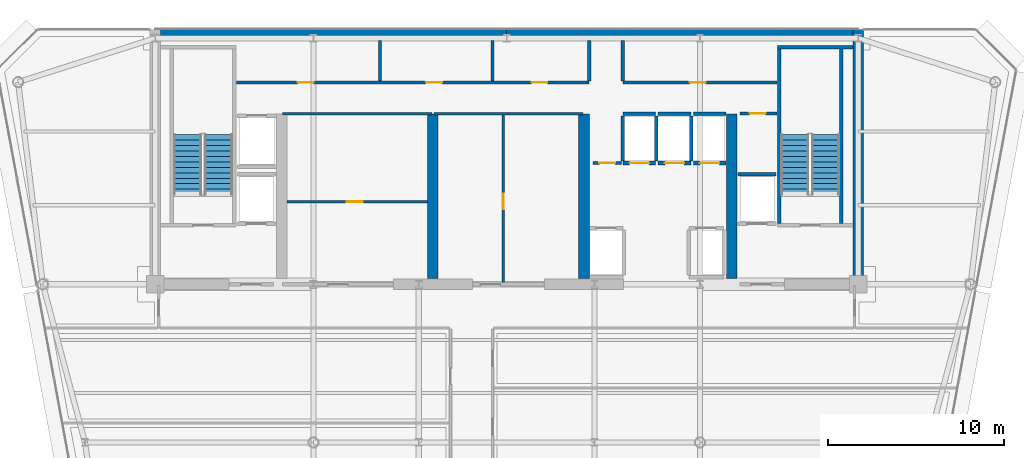
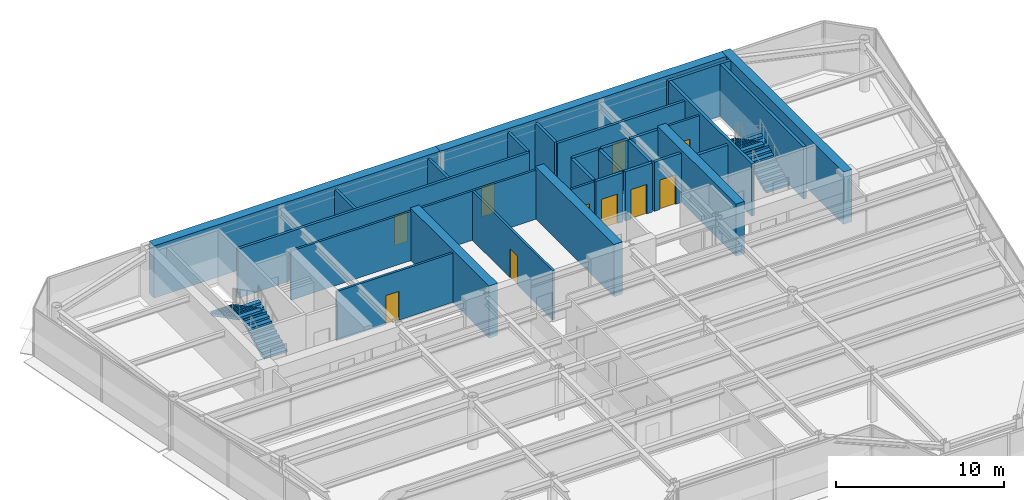
# One storey, part 12 of 16: 31 walls, 11 doors, 4 stair flights, 11 openings, 2 elements without a shape of their own.
"""IFC4 building model written with IfcOpenShell, lengths in metres."""

from ifc_helpers import new_model, si_unit, direction, frame, frame_2d, origin, place, context, subcontext, project, spatial, polyline, rectangle, outline, extrude, source, transform, mapped, material, layer, layer_set, type_object, element, fill, aggregate, save


model = new_model("IFC4")

# Units and contexts
model_context = context("Model", 3, precision=1e-05, world=origin(), true_north=direction((0.0, 1.0)))
body_context = subcontext(model_context, "Body", "Model", "MODEL_VIEW")
ifc_project = project(units=[si_unit("LENGTHUNIT", "METRE"), si_unit("AREAUNIT", "SQUARE_METRE"), si_unit("VOLUMEUNIT", "CUBIC_METRE"), si_unit("PLANEANGLEUNIT", "RADIAN"), si_unit("MASSUNIT", "GRAM", prefix="KILO")], contexts=[model_context])

# Site, building, storey
site_placement = place(None, origin())
site = spatial("IfcSite", under=ifc_project, at=site_placement, CompositionType="ELEMENT")
building_placement = place(site_placement, origin())
building = spatial("IfcBuilding", under=site, at=building_placement, Name="Vaeldorn Concourse Tower", CompositionType="ELEMENT")
storey_placement = place(building_placement, frame((0.0, 0.0, 227.0)))
storey = spatial("IfcBuildingStorey", under=building, at=storey_placement, Name="L58", CompositionType="ELEMENT", Elevation=227.0)

# Walls
ifc_material_1 = material(Name="Concrete C50/60", Category="concrete")
ifc_layer_1 = layer(ifc_material_1, 0.60009765625)
ifc_layer_set_1 = layer_set([ifc_layer_1], Name="Concrete C50/60")
wall_type_1 = type_object("IfcWallType", Name="WL-CORE-600", PredefinedType="SHEAR", material=ifc_layer_set_1)
for number, where, z_axis, x_axis, name in (
    (1, (14.303955078125, 50.699951171875, 0.0), (0.0, 0.0, 1.0), (1.0, 0.0, 0.0), "Rear Core Shear Wall L58 N1"),
    (2, (34.001953125, 50.699951171875, 0.0), (0.0, 0.0, 1.0), (1.0, 0.0, 0.0), "Rear Core Shear Wall L58 N2"),
):
    element("IfcWall", number, at=place(storey_placement, frame(where, z_axis=z_axis, x_axis=x_axis)), inside=storey, type_object=wall_type_1, Name=name, PredefinedType="SHEAR", context=body_context, shape_type="SweptSolid", body=[
        extrude(rectangle(XDim=19.694091796875, YDim=0.60009765625, at=frame_2d((9.84716796875, 0.0))), origin(), (0.0, 0.0, 1.0), 3.800048828125),
    ])
wall_1_placement = place(storey_placement, frame((54.0, 36.5, 0.0), z_axis=(0.0, 0.0, 1.0), x_axis=(0.0, 1.0, 0.0)))
element("IfcWall", 3, at=wall_1_placement, inside=storey, type_object=wall_type_1, Name="Rear Core Shear Wall L58 E1", PredefinedType="SHEAR", context=body_context, shape_type="SweptSolid", body=[
    extrude(rectangle(XDim=14.5, YDim=0.60009765625, at=frame_2d((7.25, 0.0))), origin(), (0.0, 0.0, 1.0), 3.800048828125),
])
for number, where, z_axis, x_axis, name in (
    (4, (29.800048828125, 36.820068359375, 0.0), (0.0, 0.0, 1.0), (0.0, 1.0, 0.0), "Rear Core Shear Wall L58 M2"),
    (5, (38.39990234375, 36.820068359375, 0.0), (0.0, 0.0, 1.0), (0.0, 1.0, 0.0), "Rear Core Shear Wall L58 M3"),
    (6, (46.800048828125, 36.820068359375, 0.0), (0.0, 0.0, 1.0), (0.0, 1.0, 0.0), "Rear Core Shear Wall L58 M4"),
):
    element("IfcWall", number, at=place(storey_placement, frame(where, z_axis=z_axis, x_axis=x_axis)), inside=storey, type_object=wall_type_1, Name=name, PredefinedType="SHEAR", context=body_context, shape_type="SweptSolid", body=[
        extrude(rectangle(XDim=9.3798828125, YDim=0.60009765625, at=frame_2d((4.68994140625, 0.0))), origin(), (0.0, 0.0, 1.0), 3.800048828125),
    ])
ifc_material_2 = material(Name="Gypsum Board Partition", Category="gypsum")
ifc_layer_2 = layer(ifc_material_2, 0.14990234375)
ifc_layer_set_2 = layer_set([ifc_layer_2], Name="Gypsum Board Partition")
wall_type_2 = type_object("IfcWallType", Name="WL-PART-150", PredefinedType="PARTITIONING", material=ifc_layer_set_2)
wall_2_placement = place(storey_placement, frame((21.25, 46.199951171875, 0.0), z_axis=(0.0, 0.0, 1.0), x_axis=(1.0, 0.0, 0.0)))
element("IfcWall", 7, at=wall_2_placement, inside=storey, type_object=wall_type_2, Name="Interior Wall CW-L58-R1N", PredefinedType="PARTITIONING", context=body_context, shape_type="SweptSolid", body=[
    extrude(rectangle(XDim=8.5, YDim=0.14990234375, at=frame_2d((4.25, 0.0))), origin(), (0.0, 0.0, 1.0), 3.580078125),
])

# Wall, opening, door
wall_3_placement = place(storey_placement, frame((21.5, 41.199951171875, 0.0), z_axis=(0.0, 0.0, 1.0), x_axis=(1.0, 0.0, 0.0)))
wall_3 = element("IfcWall", 8, at=wall_3_placement, inside=storey, type_object=wall_type_2, Name="Interior Wall CW-L58-R1M", PredefinedType="PARTITIONING", context=body_context, shape_type="SweptSolid", body=[
    extrude(rectangle(XDim=8.0, YDim=0.14990234375, at=frame_2d((4.0, 0.0))), origin(), (0.0, 0.0, 1.0), 3.580078125),
])
opening_1_placement = place(wall_3_placement, frame((3.39990234375, 0.0, 0.0)))
opening_1 = element("IfcOpeningElement", 9, at=opening_1_placement, cuts=wall_3, Name="Opening D-02", PredefinedType="OPENING", context=body_context, shape_type="SweptSolid", body=[
    extrude(rectangle(XDim=0.89990234375, YDim=2.10009765625, at=frame_2d((0.449951171875, 1.050048828125))), frame((0.0, 0.0849609375, 0.0), z_axis=(0.0, -1.0, 0.0), x_axis=(1.0, 0.0, 0.0)), (0.0, 0.0, 1.0), 0.169921875),
])
ifc_material_3 = material(Name="Fire-Rated Timber Leaf", Category="wood")
door_type_1 = type_object("IfcDoorType", Name="DR-FD30-900", OperationType="NOTDEFINED", PredefinedType="DOOR", material=ifc_material_3)
shared_shape_1 = source(origin(), body_context, "Body", "SweptSolid", [
    extrude(rectangle(XDim=0.89990234375, YDim=2.10009765625, at=frame_2d((0.449951171875, 1.050048828125))), frame((0.0, 0.02490234375, 0.0), z_axis=(0.0, -1.0, 0.0), x_axis=(1.0, 0.0, 0.0)), (0.0, 0.0, 1.0), 0.050048828125),
])
door_1_placement = place(opening_1_placement, origin())
door_1 = element("IfcDoor", 10, at=door_1_placement, inside=storey, type_object=door_type_1, Name="Interior Door DR-L58-R1M", OperationType="SINGLE_SWING_RIGHT", OverallHeight=2.10009765625, OverallWidth=0.89990234375, PredefinedType="DOOR", context=body_context, shape_type="MappedRepresentation", body=[
    mapped(shared_shape_1, transform((0.0, 0.0, 0.0), scale=1.0)),
])
fill(opening_1, door_1)

# Wall
wall_4_placement = place(storey_placement, frame((29.85009765625, 46.199951171875, 0.0), z_axis=(0.0, 0.0, 1.0), x_axis=(1.0, 0.0, 0.0)))
element("IfcWall", 11, at=wall_4_placement, inside=storey, type_object=wall_type_2, Name="Interior Wall CW-L58-R2N", PredefinedType="PARTITIONING", context=body_context, shape_type="SweptSolid", body=[
    extrude(rectangle(XDim=8.5, YDim=0.14990234375, at=frame_2d((4.25, 0.0))), origin(), (0.0, 0.0, 1.0), 3.580078125),
])

# Wall, opening, door
wall_5_placement = place(storey_placement, frame((33.800048828125, 36.56005859375, 0.0), z_axis=(0.0, 0.0, 1.0), x_axis=(0.0, 1.0, 0.0)))
wall_5 = element("IfcWall", 12, at=wall_5_placement, inside=storey, type_object=wall_type_2, Name="Interior Wall CW-L58-R2M", PredefinedType="PARTITIONING", context=body_context, shape_type="SweptSolid", body=[
    extrude(rectangle(XDim=9.579833984375, YDim=0.14990234375, at=frame_2d((4.7900390625, 0.0))), origin(), (0.0, 0.0, 1.0), 3.580078125),
])
opening_2_placement = place(wall_5_placement, frame((4.199951171875, 0.0, 0.0)))
opening_2 = element("IfcOpeningElement", 13, at=opening_2_placement, cuts=wall_5, Name="Opening D-02", PredefinedType="OPENING", context=body_context, shape_type="SweptSolid", body=[
    extrude(rectangle(XDim=0.89990234375, YDim=2.10009765625, at=frame_2d((0.449951171875, 1.050048828125))), frame((0.0, 0.0849609375, 0.0), z_axis=(0.0, -1.0, 0.0), x_axis=(1.0, 0.0, 0.0)), (0.0, 0.0, 1.0), 0.169921875),
])
door_2_placement = place(opening_2_placement, origin())
door_2 = element("IfcDoor", 14, at=door_2_placement, inside=storey, type_object=door_type_1, Name="Interior Door DR-L58-R2E", OperationType="SINGLE_SWING_RIGHT", OverallHeight=2.10009765625, OverallWidth=0.89990234375, PredefinedType="DOOR", context=body_context, shape_type="MappedRepresentation", body=[
    mapped(shared_shape_1, transform((0.0, 0.0, 0.0), scale=1.0)),
])
fill(opening_2, door_2)

wall_6_placement = place(storey_placement, frame((47.280029296875, 46.219970703125, 0.0), z_axis=(0.0, 0.0, 1.0), x_axis=(1.0, 0.0, 0.0)))
wall_6 = element("IfcWall", 15, at=wall_6_placement, inside=storey, type_object=wall_type_2, Name="Interior Wall CW-L58-CRSE-N", PredefinedType="PARTITIONING", context=body_context, shape_type="SweptSolid", body=[
    extrude(rectangle(XDim=2.099853515625, YDim=0.14990234375, at=frame_2d((1.0498046875, 0.0))), origin(), (0.0, 0.0, 1.0), 3.580078125),
])
opening_3_placement = place(wall_6_placement, frame((0.550048828125, 0.0, 0.0)))
opening_3 = element("IfcOpeningElement", 16, at=opening_3_placement, cuts=wall_6, Name="Opening D-02", PredefinedType="OPENING", context=body_context, shape_type="SweptSolid", body=[
    extrude(rectangle(XDim=0.89990234375, YDim=2.10009765625, at=frame_2d((0.449951171875, 1.050048828125))), frame((0.0, 0.0849609375, 0.0), z_axis=(0.0, -1.0, 0.0), x_axis=(1.0, 0.0, 0.0)), (0.0, 0.0, 1.0), 0.169921875),
])
door_3_placement = place(opening_3_placement, origin())
door_3 = element("IfcDoor", 17, at=door_3_placement, inside=storey, type_object=door_type_1, Name="Interior Door DR-L58-CRSE", OperationType="SINGLE_SWING_RIGHT", OverallHeight=2.10009765625, OverallWidth=0.89990234375, PredefinedType="DOOR", context=body_context, shape_type="MappedRepresentation", body=[
    mapped(shared_shape_1, transform((0.0, 0.0, 0.0), scale=1.0)),
])
fill(opening_3, door_3)

wall_7_placement = place(storey_placement, frame((38.919921875, 43.39990234375, 0.0), z_axis=(0.0, 0.0, 1.0), x_axis=(1.0, 0.0, 0.0)))
wall_7 = element("IfcWall", 18, at=wall_7_placement, inside=storey, type_object=wall_type_2, Name="Interior Wall CW-L58-CCLINK", PredefinedType="PARTITIONING", context=body_context, shape_type="SweptSolid", body=[
    extrude(rectangle(XDim=1.60009765625, YDim=0.14990234375, at=frame_2d((0.800048828125, 0.0))), origin(), (0.0, 0.0, 1.0), 3.580078125),
])
opening_4_placement = place(wall_7_placement, frame((0.35009765625, 0.0, 0.0)))
opening_4 = element("IfcOpeningElement", 19, at=opening_4_placement, cuts=wall_7, Name="Opening D-02", PredefinedType="OPENING", context=body_context, shape_type="SweptSolid", body=[
    extrude(rectangle(XDim=0.89990234375, YDim=2.10009765625, at=frame_2d((0.449951171875, 1.050048828125))), frame((0.0, 0.0849609375, 0.0), z_axis=(0.0, -1.0, 0.0), x_axis=(1.0, 0.0, 0.0)), (0.0, 0.0, 1.0), 0.169921875),
])
door_4_placement = place(opening_4_placement, origin())
door_4 = element("IfcDoor", 20, at=door_4_placement, inside=storey, type_object=door_type_1, Name="Interior Door DR-L58-CCLINK", OperationType="SINGLE_SWING_LEFT", OverallHeight=2.10009765625, OverallWidth=0.89990234375, PredefinedType="DOOR", context=body_context, shape_type="MappedRepresentation", body=[
    mapped(shared_shape_1, transform((0.0, 0.0, 0.0), scale=1.0)),
])
fill(opening_4, door_4)

# Wall, openings, doors
ifc_layer_3 = layer(ifc_material_2, 0.179931640625)
ifc_layer_set_3 = layer_set([ifc_layer_3], Name="Gypsum Board Partition")
wall_type_3 = type_object("IfcWallType", Name="WL-PLUMB-180", PredefinedType="PLUMBINGWALL", material=ifc_layer_set_3)
wall_8_placement = place(storey_placement, frame((18.6201171875, 47.97998046875, 0.0), z_axis=(0.0, 0.0, 1.0), x_axis=(1.0, 0.0, 0.0)))
wall_8 = element("IfcWall", 21, at=wall_8_placement, inside=storey, type_object=wall_type_3, Name="Interior Wall CW-L58-NS1W", PredefinedType="PLUMBINGWALL", context=body_context, shape_type="SweptSolid", body=[
    extrude(rectangle(XDim=20.059814453125, YDim=0.179931640625, at=frame_2d((10.02978515625, 0.0))), origin(), (0.0, 0.0, 1.0), 3.580078125),
])
opening_5_placement = place(wall_8_placement, frame((3.5, 0.0, 0.0)))
opening_5 = element("IfcOpeningElement", 22, at=opening_5_placement, cuts=wall_8, Name="Opening D-03", PredefinedType="OPENING", context=body_context, shape_type="SweptSolid", body=[
    extrude(rectangle(XDim=0.89990234375, YDim=2.14990234375, at=frame_2d((0.449951171875, 1.074951171875))), frame((0.0, 0.10009765625, 0.0), z_axis=(0.0, -1.0, 0.0), x_axis=(1.0, 0.0, 0.0)), (0.0, 0.0, 1.0), 0.199951171875),
])
opening_6_placement = place(wall_8_placement, frame((10.800048828125, 0.0, 0.0)))
opening_6 = element("IfcOpeningElement", 23, at=opening_6_placement, cuts=wall_8, Name="Opening D-03", PredefinedType="OPENING", context=body_context, shape_type="SweptSolid", body=[
    extrude(rectangle(XDim=0.89990234375, YDim=2.14990234375, at=frame_2d((0.449951171875, 1.074951171875))), frame((0.0, 0.10009765625, 0.0), z_axis=(0.0, -1.0, 0.0), x_axis=(1.0, 0.0, 0.0)), (0.0, 0.0, 1.0), 0.199951171875),
])
opening_7_placement = place(wall_8_placement, frame((16.800048828125, 0.0, 0.0)))
opening_7 = element("IfcOpeningElement", 24, at=opening_7_placement, cuts=wall_8, Name="Opening D-03", PredefinedType="OPENING", context=body_context, shape_type="SweptSolid", body=[
    extrude(rectangle(XDim=0.89990234375, YDim=2.14990234375, at=frame_2d((0.449951171875, 1.074951171875))), frame((0.0, 0.10009765625, 0.0), z_axis=(0.0, -1.0, 0.0), x_axis=(1.0, 0.0, 0.0)), (0.0, 0.0, 1.0), 0.199951171875),
])
ifc_material_4 = material(Name="Acoustic Bronze-Framed Glass Door", Category="glass")
door_type_2 = type_object("IfcDoorType", Name="DR-INT-900", OperationType="NOTDEFINED", PredefinedType="DOOR", material=ifc_material_4)
shared_shape_2 = source(origin(), body_context, "Body", "SweptSolid", [
    extrude(rectangle(XDim=0.89990234375, YDim=2.14990234375, at=frame_2d((0.449951171875, 1.074951171875))), frame((0.0, 0.02490234375, 0.0), z_axis=(0.0, -1.0, 0.0), x_axis=(1.0, 0.0, 0.0)), (0.0, 0.0, 1.0), 0.050048828125),
])
door_5_placement = place(opening_5_placement, origin())
door_5 = element("IfcDoor", 25, at=door_5_placement, inside=storey, type_object=door_type_2, Name="Interior Door DR-L58-CS1", OperationType="SINGLE_SWING_LEFT", OverallHeight=2.14990234375, OverallWidth=0.89990234375, PredefinedType="DOOR", context=body_context, shape_type="MappedRepresentation", body=[
    mapped(shared_shape_2, transform((0.0, 0.0, 0.0), scale=1.0)),
])
fill(opening_5, door_5)
door_6_placement = place(opening_6_placement, origin())
door_6 = element("IfcDoor", 26, at=door_6_placement, inside=storey, type_object=door_type_2, Name="Interior Door DR-L58-CS2", OperationType="SINGLE_SWING_RIGHT", OverallHeight=2.14990234375, OverallWidth=0.89990234375, PredefinedType="DOOR", context=body_context, shape_type="MappedRepresentation", body=[
    mapped(shared_shape_2, transform((0.0, 0.0, 0.0), scale=1.0)),
])
fill(opening_6, door_6)
door_7_placement = place(opening_7_placement, origin())
door_7 = element("IfcDoor", 27, at=door_7_placement, inside=storey, type_object=door_type_2, Name="Interior Door DR-L58-CS3", OperationType="SINGLE_SWING_LEFT", OverallHeight=2.14990234375, OverallWidth=0.89990234375, PredefinedType="DOOR", context=body_context, shape_type="MappedRepresentation", body=[
    mapped(shared_shape_2, transform((0.0, 0.0, 0.0), scale=1.0)),
])
fill(opening_7, door_7)

# Wall, opening, door
wall_9_placement = place(storey_placement, frame((40.6201171875, 47.97998046875, 0.0), z_axis=(0.0, 0.0, 1.0), x_axis=(1.0, 0.0, 0.0)))
wall_9 = element("IfcWall", 28, at=wall_9_placement, inside=storey, type_object=wall_type_3, Name="Interior Wall CW-L58-NS1E", PredefinedType="PLUMBINGWALL", context=body_context, shape_type="SweptSolid", body=[
    extrude(rectangle(XDim=8.759765625, YDim=0.179931640625, at=frame_2d((4.3798828125, 0.0))), origin(), (0.0, 0.0, 1.0), 3.580078125),
])
opening_8_placement = place(wall_9_placement, frame((3.800048828125, 0.0, 0.0)))
opening_8 = element("IfcOpeningElement", 29, at=opening_8_placement, cuts=wall_9, Name="Opening D-03", PredefinedType="OPENING", context=body_context, shape_type="SweptSolid", body=[
    extrude(rectangle(XDim=0.89990234375, YDim=2.14990234375, at=frame_2d((0.449951171875, 1.074951171875))), frame((0.0, 0.10009765625, 0.0), z_axis=(0.0, -1.0, 0.0), x_axis=(1.0, 0.0, 0.0)), (0.0, 0.0, 1.0), 0.199951171875),
])
door_8_placement = place(opening_8_placement, origin())
door_8 = element("IfcDoor", 30, at=door_8_placement, inside=storey, type_object=door_type_2, Name="Interior Door DR-L58-CS4", OperationType="SINGLE_SWING_RIGHT", OverallHeight=2.14990234375, OverallWidth=0.89990234375, PredefinedType="DOOR", context=body_context, shape_type="MappedRepresentation", body=[
    mapped(shared_shape_2, transform((0.0, 0.0, 0.0), scale=1.0)),
])
fill(opening_8, door_8)

# Walls
for number, where, z_axis, x_axis, name in (
    (31, (26.800048828125, 48.06005859375, 0.0), (0.0, 0.0, 1.0), (0.0, 1.0, 0.0), "Interior Wall CW-L58-NDIV1"),
    (32, (33.199951171875, 48.06005859375, 0.0), (0.0, 0.0, 1.0), (0.0, 1.0, 0.0), "Interior Wall CW-L58-NDIV2"),
    (33, (38.699951171875, 48.06005859375, 0.0), (0.0, 0.0, 1.0), (0.0, 1.0, 0.0), "Interior Wall CW-L58-NDIV3"),
    (34, (40.60009765625, 48.06005859375, 0.0), (0.0, 0.0, 1.0), (0.0, 1.0, 0.0), "Interior Wall CW-L58-NDIV4"),
):
    element("IfcWall", number, at=place(storey_placement, frame(where, z_axis=z_axis, x_axis=x_axis)), inside=storey, type_object=wall_type_3, Name=name, PredefinedType="PLUMBINGWALL", context=body_context, shape_type="SweptSolid", body=[
        extrude(rectangle(XDim=2.31982421875, YDim=0.179931640625, at=frame_2d((1.159912109375, 0.0))), origin(), (0.0, 0.0, 1.0), 3.580078125),
    ])
ifc_layer_4 = layer(ifc_material_1, 0.199951171875)
ifc_layer_set_4 = layer_set([ifc_layer_4], Name="Concrete C50/60")
wall_type_4 = type_object("IfcWallType", Name="WL-SHAFT-200", PredefinedType="SOLIDWALL", material=ifc_layer_set_4)
wall_10_placement = place(storey_placement, frame((49.39990234375, 50.0, 0.0), z_axis=(0.0, 0.0, 1.0), x_axis=(1.0, 0.0, 0.0)))
element("IfcWall", 35, at=wall_10_placement, inside=storey, type_object=wall_type_4, Name="Stair Shaft Wall CW-L58-ST-2-N", PredefinedType="SOLIDWALL", context=body_context, shape_type="SweptSolid", body=[
    extrude(rectangle(XDim=4.300048828125, YDim=0.199951171875, at=frame_2d((2.14990234375, 0.0))), origin(), (0.0, 0.0, 1.0), 3.800048828125),
])
for number, where, z_axis, x_axis, name in (
    (36, (49.5, 39.9599609375, 0.0), (0.0, 0.0, 1.0), (0.0, 1.0, 0.0), "Stair Shaft Wall CW-L58-ST-2-W"),
    (37, (53.050048828125, 39.9599609375, 0.0), (0.0, 0.0, 1.0), (0.0, 1.0, 0.0), "Stair Shaft Wall CW-L58-ST-2-E"),
):
    element("IfcWall", number, at=place(storey_placement, frame(where, z_axis=z_axis, x_axis=x_axis)), inside=storey, type_object=wall_type_4, Name=name, PredefinedType="SOLIDWALL", context=body_context, shape_type="SweptSolid", body=[
        extrude(rectangle(XDim=9.929931640625, YDim=0.199951171875, at=frame_2d((4.96484375, 0.0))), origin(), (0.0, 0.0, 1.0), 3.800048828125),
    ])

# Wall, opening, door
wall_11_placement = place(storey_placement, frame((40.6201171875, 43.39990234375, 0.0), z_axis=(0.0, 0.0, 1.0), x_axis=(1.0, 0.0, 0.0)))
wall_11 = element("IfcWall", 38, at=wall_11_placement, inside=storey, type_object=wall_type_4, Name="Interior Wall CW-L58-LF-LF-15", PredefinedType="SOLIDWALL", context=body_context, shape_type="SweptSolid", body=[
    extrude(rectangle(XDim=1.85986328125, YDim=0.199951171875, at=frame_2d((0.929931640625, 0.0))), origin(), (0.0, 0.0, 1.0), 3.580078125),
])
opening_9_placement = place(wall_11_placement, frame((0.3798828125, 0.0, 0.0)))
opening_9 = element("IfcOpeningElement", 39, at=opening_9_placement, cuts=wall_11, Name="Opening LD-1", PredefinedType="OPENING", context=body_context, shape_type="SweptSolid", body=[
    extrude(rectangle(XDim=1.10009765625, YDim=2.14990234375, at=frame_2d((0.550048828125, 1.074951171875))), frame((0.0, 0.10986328125, 0.0), z_axis=(0.0, -1.0, 0.0), x_axis=(1.0, 0.0, 0.0)), (0.0, 0.0, 1.0), 0.219970703125),
])
ifc_material_5 = material(Name="Anodised Bronze Aluminium", Category="aluminium")
door_type_3 = type_object("IfcDoorType", Name="DR-LIFT-SLIDE-1100", OperationType="DOUBLE_DOOR_SLIDING", PredefinedType="DOOR", material=ifc_material_5)
shared_shape_3 = source(origin(), body_context, "Body", "SweptSolid", [
    extrude(rectangle(XDim=1.10009765625, YDim=2.14990234375, at=frame_2d((0.550048828125, 1.074951171875))), frame((0.0, 0.02490234375, 0.0), z_axis=(0.0, -1.0, 0.0), x_axis=(1.0, 0.0, 0.0)), (0.0, 0.0, 1.0), 0.050048828125),
])
door_9_placement = place(opening_9_placement, origin())
door_9 = element("IfcDoor", 40, at=door_9_placement, inside=storey, type_object=door_type_3, Name="Lift Landing Door LD-L58-LF-15", OperationType="DOUBLE_DOOR_SLIDING", OverallHeight=2.14990234375, OverallWidth=1.10009765625, PredefinedType="DOOR", context=body_context, shape_type="MappedRepresentation", body=[
    mapped(shared_shape_3, transform((0.0, 0.0, 0.0), scale=1.0)),
])
fill(opening_9, door_9)

# Walls
wall_12_placement = place(storey_placement, frame((40.6201171875, 46.199951171875, 0.0), z_axis=(0.0, 0.0, 1.0), x_axis=(1.0, 0.0, 0.0)))
element("IfcWall", 41, at=wall_12_placement, inside=storey, type_object=wall_type_4, Name="Interior Wall CW-L58-LFB-LF-15", PredefinedType="SOLIDWALL", context=body_context, shape_type="SweptSolid", body=[
    extrude(rectangle(XDim=1.85986328125, YDim=0.199951171875, at=frame_2d((0.929931640625, 0.0))), origin(), (0.0, 0.0, 1.0), 3.580078125),
])
for number, where, z_axis, x_axis, name in (
    (42, (40.60009765625, 43.52001953125, 0.0), (0.0, 0.0, 1.0), (0.0, 1.0, 0.0), "Interior Wall CW-L58-LFW-LF-15"),
    (43, (42.5, 43.52001953125, 0.0), (0.0, 0.0, 1.0), (0.0, 1.0, 0.0), "Interior Wall CW-L58-LFE-LF-15"),
):
    element("IfcWall", number, at=place(storey_placement, frame(where, z_axis=z_axis, x_axis=x_axis)), inside=storey, type_object=wall_type_4, Name=name, PredefinedType="SOLIDWALL", context=body_context, shape_type="SweptSolid", body=[
        extrude(rectangle(XDim=2.56005859375, YDim=0.199951171875, at=frame_2d((1.280029296875, 0.0))), origin(), (0.0, 0.0, 1.0), 3.580078125),
    ])

# Wall, opening, door
wall_13_placement = place(storey_placement, frame((42.6201171875, 43.39990234375, 0.0), z_axis=(0.0, 0.0, 1.0), x_axis=(1.0, 0.0, 0.0)))
wall_13 = element("IfcWall", 44, at=wall_13_placement, inside=storey, type_object=wall_type_4, Name="Interior Wall CW-L58-LF-LF-16", PredefinedType="SOLIDWALL", context=body_context, shape_type="SweptSolid", body=[
    extrude(rectangle(XDim=1.85986328125, YDim=0.199951171875, at=frame_2d((0.929931640625, 0.0))), origin(), (0.0, 0.0, 1.0), 3.580078125),
])
opening_10_placement = place(wall_13_placement, frame((0.3798828125, 0.0, 0.0)))
opening_10 = element("IfcOpeningElement", 45, at=opening_10_placement, cuts=wall_13, Name="Opening LD-1", PredefinedType="OPENING", context=body_context, shape_type="SweptSolid", body=[
    extrude(rectangle(XDim=1.10009765625, YDim=2.14990234375, at=frame_2d((0.550048828125, 1.074951171875))), frame((0.0, 0.10986328125, 0.0), z_axis=(0.0, -1.0, 0.0), x_axis=(1.0, 0.0, 0.0)), (0.0, 0.0, 1.0), 0.219970703125),
])
door_10_placement = place(opening_10_placement, origin())
door_10 = element("IfcDoor", 46, at=door_10_placement, inside=storey, type_object=door_type_3, Name="Lift Landing Door LD-L58-LF-16", OperationType="DOUBLE_DOOR_SLIDING", OverallHeight=2.14990234375, OverallWidth=1.10009765625, PredefinedType="DOOR", context=body_context, shape_type="MappedRepresentation", body=[
    mapped(shared_shape_3, transform((0.0, 0.0, 0.0), scale=1.0)),
])
fill(opening_10, door_10)

# Walls
wall_14_placement = place(storey_placement, frame((42.6201171875, 46.199951171875, 0.0), z_axis=(0.0, 0.0, 1.0), x_axis=(1.0, 0.0, 0.0)))
element("IfcWall", 47, at=wall_14_placement, inside=storey, type_object=wall_type_4, Name="Interior Wall CW-L58-LFB-LF-16", PredefinedType="SOLIDWALL", context=body_context, shape_type="SweptSolid", body=[
    extrude(rectangle(XDim=1.85986328125, YDim=0.199951171875, at=frame_2d((0.929931640625, 0.0))), origin(), (0.0, 0.0, 1.0), 3.580078125),
])
wall_15_placement = place(storey_placement, frame((44.5, 43.52001953125, 0.0), z_axis=(0.0, 0.0, 1.0), x_axis=(0.0, 1.0, 0.0)))
element("IfcWall", 48, at=wall_15_placement, inside=storey, type_object=wall_type_4, Name="Interior Wall CW-L58-LFE-LF-16", PredefinedType="SOLIDWALL", context=body_context, shape_type="SweptSolid", body=[
    extrude(rectangle(XDim=2.56005859375, YDim=0.199951171875, at=frame_2d((1.280029296875, 0.0))), origin(), (0.0, 0.0, 1.0), 3.580078125),
])

# Wall, opening, door
wall_16_placement = place(storey_placement, frame((44.6201171875, 43.39990234375, 0.0), z_axis=(0.0, 0.0, 1.0), x_axis=(1.0, 0.0, 0.0)))
wall_16 = element("IfcWall", 49, at=wall_16_placement, inside=storey, type_object=wall_type_4, Name="Interior Wall CW-L58-LF-LF-17", PredefinedType="SOLIDWALL", context=body_context, shape_type="SweptSolid", body=[
    extrude(rectangle(XDim=1.85986328125, YDim=0.199951171875, at=frame_2d((0.929931640625, 0.0))), origin(), (0.0, 0.0, 1.0), 3.580078125),
])
opening_11_placement = place(wall_16_placement, frame((0.3798828125, 0.0, 0.0)))
opening_11 = element("IfcOpeningElement", 50, at=opening_11_placement, cuts=wall_16, Name="Opening LD-1", PredefinedType="OPENING", context=body_context, shape_type="SweptSolid", body=[
    extrude(rectangle(XDim=1.10009765625, YDim=2.14990234375, at=frame_2d((0.550048828125, 1.074951171875))), frame((0.0, 0.10986328125, 0.0), z_axis=(0.0, -1.0, 0.0), x_axis=(1.0, 0.0, 0.0)), (0.0, 0.0, 1.0), 0.219970703125),
])
door_11_placement = place(opening_11_placement, origin())
door_11 = element("IfcDoor", 51, at=door_11_placement, inside=storey, type_object=door_type_3, Name="Lift Landing Door LD-L58-LF-17", OperationType="DOUBLE_DOOR_SLIDING", OverallHeight=2.14990234375, OverallWidth=1.10009765625, PredefinedType="DOOR", context=body_context, shape_type="MappedRepresentation", body=[
    mapped(shared_shape_3, transform((0.0, 0.0, 0.0), scale=1.0)),
])
fill(opening_11, door_11)

# Walls
wall_17_placement = place(storey_placement, frame((44.6201171875, 46.199951171875, 0.0), z_axis=(0.0, 0.0, 1.0), x_axis=(1.0, 0.0, 0.0)))
element("IfcWall", 52, at=wall_17_placement, inside=storey, type_object=wall_type_4, Name="Interior Wall CW-L58-LFB-LF-17", PredefinedType="SOLIDWALL", context=body_context, shape_type="SweptSolid", body=[
    extrude(rectangle(XDim=1.85986328125, YDim=0.199951171875, at=frame_2d((0.929931640625, 0.0))), origin(), (0.0, 0.0, 1.0), 3.580078125),
])
wall_18_placement = place(storey_placement, frame((47.169921875, 42.75, 0.0), z_axis=(0.0, 0.0, 1.0), x_axis=(1.0, 0.0, 0.0)))
element("IfcWall", 53, at=wall_18_placement, inside=storey, type_object=wall_type_4, Name="Interior Wall CW-L58-LFB-LF-FF2", PredefinedType="SOLIDWALL", context=body_context, shape_type="SweptSolid", body=[
    extrude(rectangle(XDim=2.16015625, YDim=0.199951171875, at=frame_2d((1.080078125, 0.0))), origin(), (0.0, 0.0, 1.0), 3.580078125),
])

# Stair, stair flights
ifc_material_6 = material(Name="Precast concrete C40/50", Category="concrete")
stair_type = type_object("IfcStairType", Name="STR-DOG-24x158", PredefinedType="HALF_TURN_STAIR", material=ifc_material_6)
stair_1_placement = place(storey_placement, origin())
stair_1 = element("IfcStair", 54, at=stair_1_placement, inside=storey, type_object=stair_type, Name="L58 West Core Exit Stair ST-1", PredefinedType="HALF_TURN_STAIR")
stair_flight_type = type_object("IfcStairFlightType", Name="STF-STR-12x158", PredefinedType="STRAIGHT", material=ifc_material_6)
stair_flight_1_placement = place(storey_placement, frame((17.60009765625, 41.60009765625, 0.0), z_axis=(0.0, 0.0, 1.0), x_axis=(0.0, 1.0, 0.0)))
stair_flight_1 = element("IfcStairFlight", 55, at=stair_flight_1_placement, type_object=stair_flight_type, Name="ST-1 flight 1", NumberOfRisers=12, NumberOfTreads=11, PredefinedType="STRAIGHT", RiserHeight=0.158333333, TreadLength=0.31, context=body_context, shape_type="SweptSolid", body=[
    extrude(outline(polyline([(0.0, 0.0), (0.0, 0.158447265625), (0.31005859375, 0.158447265625), (0.31005859375, 0.316650390625), (0.6201171875, 0.316650390625), (0.6201171875, 0.47509765625), (0.929931640625, 0.47509765625), (0.929931640625, 0.63330078125), (1.239990234375, 0.63330078125), (1.239990234375, 0.791748046875), (1.550048828125, 0.791748046875), (1.550048828125, 0.949951171875), (1.860107421875, 0.949951171875), (1.860107421875, 1.1083984375), (2.169921875, 1.1083984375), (2.169921875, 1.2666015625), (2.47998046875, 1.2666015625), (2.47998046875, 1.425048828125), (2.7900390625, 1.425048828125), (2.7900390625, 1.583251953125), (3.10009765625, 1.583251953125), (3.10009765625, 1.74169921875), (3.409912109375, 1.74169921875), (3.409912109375, 1.89990234375), (3.409912109375, 1.5732421875), (0.32958984375, 0.0), (0.0, 0.0)])), frame((0.0, 0.800048828125, 0.0), z_axis=(0.0, -1.0, 0.0), x_axis=(1.0, 0.0, 0.0)), (0.0, 0.0, 1.0), 1.60009765625),
])
stair_flight_2_placement = place(storey_placement, frame((15.85009765625, 45.010009765625, 1.89990234375), z_axis=(0.0, 0.0, 1.0), x_axis=(0.0, -1.0, 0.0)))
stair_flight_2 = element("IfcStairFlight", 56, at=stair_flight_2_placement, type_object=stair_flight_type, Name="ST-1 flight 2", NumberOfRisers=12, NumberOfTreads=11, PredefinedType="STRAIGHT", RiserHeight=0.158333333, TreadLength=0.31, context=body_context, shape_type="SweptSolid", body=[
    extrude(outline(polyline([(0.0, 0.0), (0.0, 0.158447265625), (0.31005859375, 0.158447265625), (0.31005859375, 0.316650390625), (0.6201171875, 0.316650390625), (0.6201171875, 0.47509765625), (0.929931640625, 0.47509765625), (0.929931640625, 0.63330078125), (1.239990234375, 0.63330078125), (1.239990234375, 0.791748046875), (1.550048828125, 0.791748046875), (1.550048828125, 0.949951171875), (1.860107421875, 0.949951171875), (1.860107421875, 1.1083984375), (2.169921875, 1.1083984375), (2.169921875, 1.2666015625), (2.47998046875, 1.2666015625), (2.47998046875, 1.425048828125), (2.7900390625, 1.425048828125), (2.7900390625, 1.583251953125), (3.10009765625, 1.583251953125), (3.10009765625, 1.74169921875), (3.409912109375, 1.74169921875), (3.409912109375, 1.89990234375), (3.409912109375, 1.5732421875), (0.32958984375, 0.0), (0.0, 0.0)])), frame((0.0, 0.800048828125, 0.0), z_axis=(0.0, -1.0, 0.0), x_axis=(1.0, 0.0, 0.0)), (0.0, 0.0, 1.0), 1.60009765625),
])
aggregate(stair_1, [stair_flight_1, stair_flight_2])

stair_2_placement = place(storey_placement, origin())
stair_2 = element("IfcStair", 57, at=stair_2_placement, inside=storey, type_object=stair_type, Name="L58 East Core Exit Stair ST-2", PredefinedType="HALF_TURN_STAIR")
stair_flight_3_placement = place(storey_placement, frame((52.14990234375, 41.60009765625, 0.0), z_axis=(0.0, 0.0, 1.0), x_axis=(0.0, 1.0, 0.0)))
stair_flight_3 = element("IfcStairFlight", 58, at=stair_flight_3_placement, type_object=stair_flight_type, Name="ST-2 flight 1", NumberOfRisers=12, NumberOfTreads=11, PredefinedType="STRAIGHT", RiserHeight=0.158333333, TreadLength=0.31, context=body_context, shape_type="SweptSolid", body=[
    extrude(outline(polyline([(0.0, 0.0), (0.0, 0.158447265625), (0.31005859375, 0.158447265625), (0.31005859375, 0.316650390625), (0.6201171875, 0.316650390625), (0.6201171875, 0.47509765625), (0.929931640625, 0.47509765625), (0.929931640625, 0.63330078125), (1.239990234375, 0.63330078125), (1.239990234375, 0.791748046875), (1.550048828125, 0.791748046875), (1.550048828125, 0.949951171875), (1.860107421875, 0.949951171875), (1.860107421875, 1.1083984375), (2.169921875, 1.1083984375), (2.169921875, 1.2666015625), (2.47998046875, 1.2666015625), (2.47998046875, 1.425048828125), (2.7900390625, 1.425048828125), (2.7900390625, 1.583251953125), (3.10009765625, 1.583251953125), (3.10009765625, 1.74169921875), (3.409912109375, 1.74169921875), (3.409912109375, 1.89990234375), (3.409912109375, 1.5732421875), (0.32958984375, 0.0), (0.0, 0.0)])), frame((0.0, 0.800048828125, 0.0), z_axis=(0.0, -1.0, 0.0), x_axis=(1.0, 0.0, 0.0)), (0.0, 0.0, 1.0), 1.60009765625),
])
stair_flight_4_placement = place(storey_placement, frame((50.39990234375, 45.010009765625, 1.89990234375), z_axis=(0.0, 0.0, 1.0), x_axis=(0.0, -1.0, 0.0)))
stair_flight_4 = element("IfcStairFlight", 59, at=stair_flight_4_placement, type_object=stair_flight_type, Name="ST-2 flight 2", NumberOfRisers=12, NumberOfTreads=11, PredefinedType="STRAIGHT", RiserHeight=0.158333333, TreadLength=0.31, context=body_context, shape_type="SweptSolid", body=[
    extrude(outline(polyline([(0.0, 0.0), (0.0, 0.158447265625), (0.31005859375, 0.158447265625), (0.31005859375, 0.316650390625), (0.6201171875, 0.316650390625), (0.6201171875, 0.47509765625), (0.929931640625, 0.47509765625), (0.929931640625, 0.63330078125), (1.239990234375, 0.63330078125), (1.239990234375, 0.791748046875), (1.550048828125, 0.791748046875), (1.550048828125, 0.949951171875), (1.860107421875, 0.949951171875), (1.860107421875, 1.1083984375), (2.169921875, 1.1083984375), (2.169921875, 1.2666015625), (2.47998046875, 1.2666015625), (2.47998046875, 1.425048828125), (2.7900390625, 1.425048828125), (2.7900390625, 1.583251953125), (3.10009765625, 1.583251953125), (3.10009765625, 1.74169921875), (3.409912109375, 1.74169921875), (3.409912109375, 1.89990234375), (3.409912109375, 1.5732421875), (0.32958984375, 0.0), (0.0, 0.0)])), frame((0.0, 0.800048828125, 0.0), z_axis=(0.0, -1.0, 0.0), x_axis=(1.0, 0.0, 0.0)), (0.0, 0.0, 1.0), 1.60009765625),
])
aggregate(stair_2, [stair_flight_3, stair_flight_4])

save(model, "model.ifc")
